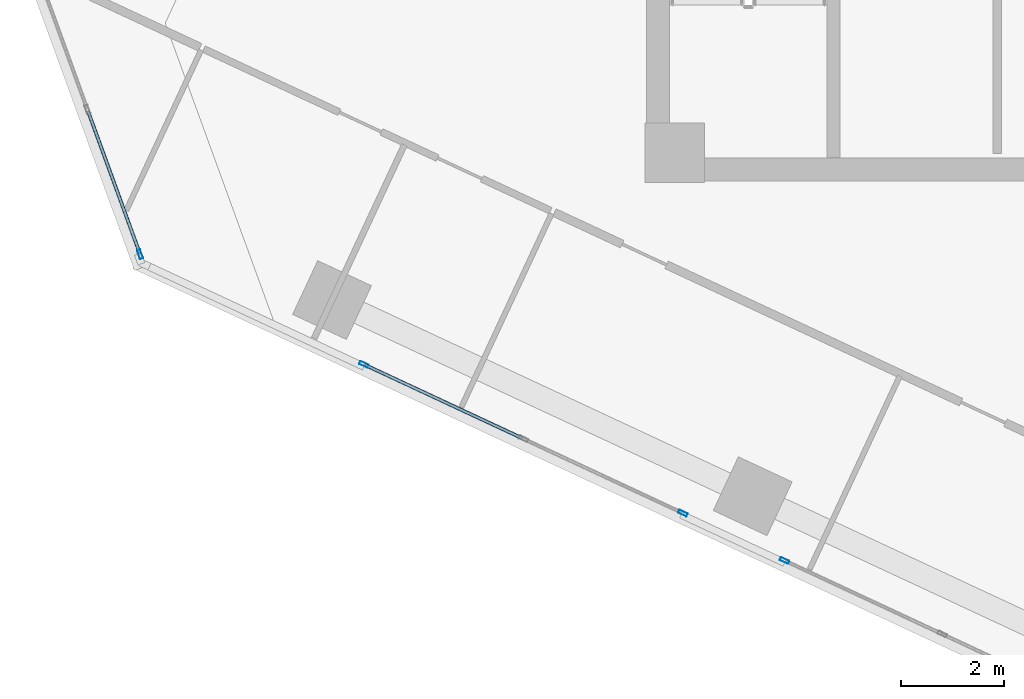
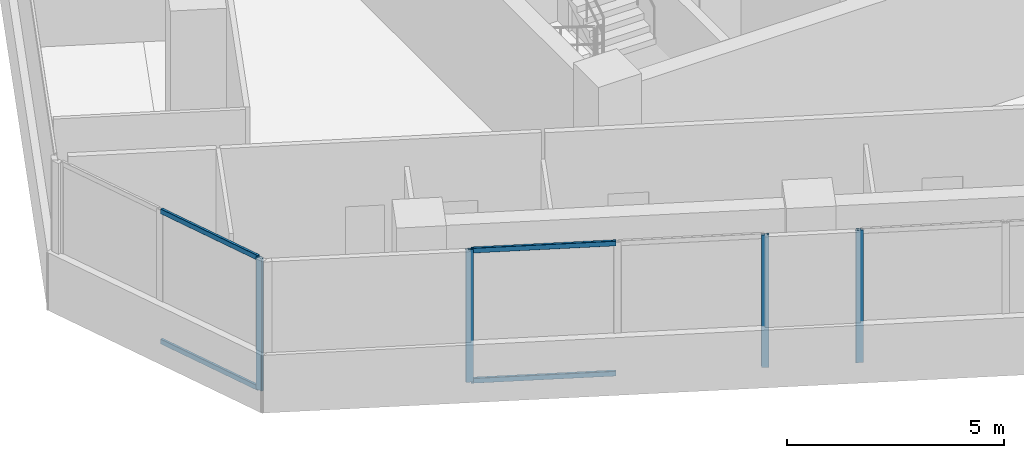
# One storey, part 2 of 23: 8 members, 3 elements without a shape of their own.
"""IFC4 building model written with IfcOpenShell, lengths in metres."""

from ifc_helpers import new_model, si_unit, direction, frame, origin, origin_2d, place, context, subcontext, project, spatial, hollow_rectangle, extrude, source, transform, mapped, material, material_profile, profile_set, type_object, element, aggregate, save


model = new_model("IFC4")

# Units and contexts
model_context = context("Model", 3, precision=1e-05, world=origin(), true_north=direction((0.0, 1.0)))
body_context = subcontext(model_context, "Body", "Model", "MODEL_VIEW")
ifc_project = project(units=[si_unit("LENGTHUNIT", "METRE"), si_unit("AREAUNIT", "SQUARE_METRE"), si_unit("VOLUMEUNIT", "CUBIC_METRE"), si_unit("PLANEANGLEUNIT", "RADIAN"), si_unit("MASSUNIT", "GRAM", prefix="KILO")], contexts=[model_context])

# Site, building, storey
site_placement = place(None, origin())
site = spatial("IfcSite", under=ifc_project, at=site_placement, CompositionType="ELEMENT")
building_placement = place(site_placement, origin())
building = spatial("IfcBuilding", under=site, at=building_placement, Name="Torre Montelarca", CompositionType="ELEMENT")
storey_placement = place(building_placement, frame((0.0, 0.0, 154.0)))
storey = spatial("IfcBuildingStorey", under=building, at=storey_placement, Name="L34", CompositionType="ELEMENT", Elevation=154.0)

# Curtain wall, members
ifc_material_1 = material(Name="Insulated low-E laminated glass", Category="glass")
curtain_wall_type = type_object("IfcCurtainWallType", Name="CW-SYS-Z2", PredefinedType="USERDEFINED", material=ifc_material_1)
curtain_wall_1_placement = place(storey_placement, origin())
curtain_wall_1 = element("IfcCurtainWall", 1, at=curtain_wall_1_placement, inside=storey, type_object=curtain_wall_type, Name="L34 Curtain Wall Run CW-T3-L34-E11-B1", ObjectType="UNITISED GLAZING", PredefinedType="USERDEFINED")
ifc_material_2 = material(Name="Anodised aluminium AA 6063-T6", Category="aluminium")
ifc_material_profile_1 = material_profile(ifc_material_2, hollow_rectangle(XDim=0.06494140625, YDim=0.139892578125, WallThickness=0.00390625, InnerFilletRadius=0.00390625, OuterFilletRadius=0.008056640625, at=origin_2d()), Name="ALU65X140X4", Category="aluminium")
ifc_profile_set_1 = profile_set([ifc_material_profile_1], Name="Anodised aluminium AA 6063-T6")
member_type_1 = type_object("IfcMemberType", Name="CWT-ALU140", PredefinedType="USERDEFINED", material=ifc_profile_set_1)
shared_shape_1 = source(origin(), body_context, "Body", "SweptSolid", [
    extrude(hollow_rectangle(XDim=0.06494140625, YDim=0.139892578125, WallThickness=0.00390625, InnerFilletRadius=0.00390625, OuterFilletRadius=0.008056640625, at=origin_2d()), origin(), (0.0, 0.0, 1.0), 2.918701171875),
])
member_1_placement = place(storey_placement, frame((-1.828857421875, 25.355712890625, 0.032470703125), z_axis=(0.342031842172, -0.939688362671, 0.0), x_axis=(0.939688362671, 0.342031842172, 0.0)))
member_1 = element("IfcMember", 2, at=member_1_placement, type_object=member_type_1, Name="CW transom 2.1", ObjectType="TRANSOM", PredefinedType="USERDEFINED", context=body_context, shape_type="MappedRepresentation", body=[
    mapped(shared_shape_1, transform((0.0, 0.0, 0.0), scale=1.0)),
])
member_2_placement = place(storey_placement, frame((-1.828857421875, 25.355712890625, 3.6875), z_axis=(0.342031842172, -0.939688362671, 0.0), x_axis=(0.939688362671, 0.342031842172, 0.0)))
member_2 = element("IfcMember", 3, at=member_2_placement, type_object=member_type_1, Name="CW transom 2.2", ObjectType="TRANSOM", PredefinedType="USERDEFINED", context=body_context, shape_type="MappedRepresentation", body=[
    mapped(shared_shape_1, transform((0.0, 0.0, 0.0), scale=1.0)),
])

curtain_wall_2_placement = place(storey_placement, origin())
curtain_wall_2 = element("IfcCurtainWall", 4, at=curtain_wall_2_placement, inside=storey, type_object=curtain_wall_type, Name="L34 Curtain Wall Run CW-T3-L34-E01-B1", ObjectType="UNITISED GLAZING", PredefinedType="USERDEFINED")
ifc_material_profile_2 = material_profile(ifc_material_2, hollow_rectangle(XDim=0.06494140625, YDim=0.179931640625, WallThickness=0.00390625, InnerFilletRadius=0.00390625, OuterFilletRadius=0.008056640625, at=origin_2d()), Name="ALU65X180X4", Category="aluminium")
ifc_profile_set_2 = profile_set([ifc_material_profile_2], Name="Anodised aluminium AA 6063-T6")
member_type_2 = type_object("IfcMemberType", Name="CWM-ALU180", PredefinedType="MULLION", material=ifc_profile_set_2)
shared_shape_2 = source(origin(), body_context, "Body", "SweptSolid", [
    extrude(hollow_rectangle(XDim=0.06494140625, YDim=0.179931640625, WallThickness=0.00390625, InnerFilletRadius=0.00390625, OuterFilletRadius=0.008056640625, at=origin_2d()), origin(), (0.0, 0.0, 1.0), 3.719970703125),
])
member_3_placement = place(storey_placement, frame((3.52001953125, 20.446044921875, 0.0), z_axis=(0.0, 0.0, 1.0), x_axis=(0.422611326824, 0.906311020809, 0.0)))
member_3 = element("IfcMember", 5, at=member_3_placement, type_object=member_type_2, Name="CW mullion 1", PredefinedType="MULLION", context=body_context, shape_type="MappedRepresentation", body=[
    mapped(shared_shape_2, transform((0.0, 0.0, 0.0), scale=1.0)),
])
member_4_placement = place(storey_placement, frame((9.70556640625, 17.561767578125, 0.0), z_axis=(0.0, 0.0, 1.0), x_axis=(0.422611326824, 0.906311020809, 0.0)))
member_4 = element("IfcMember", 6, at=member_4_placement, type_object=member_type_2, Name="CW mullion 3", PredefinedType="MULLION", context=body_context, shape_type="MappedRepresentation", body=[
    mapped(shared_shape_2, transform((0.0, 0.0, 0.0), scale=1.0)),
])

# Curtain wall, member
curtain_wall_3_placement = place(storey_placement, origin())
curtain_wall_3 = element("IfcCurtainWall", 7, at=curtain_wall_3_placement, inside=storey, type_object=curtain_wall_type, Name="L34 Curtain Wall Run CW-T3-L34-E01-B2", ObjectType="UNITISED GLAZING", PredefinedType="USERDEFINED")
member_5_placement = place(storey_placement, frame((11.6767578125, 16.642578125, 0.0), z_axis=(0.0, 0.0, 1.0), x_axis=(0.42261232569, 0.906310555039, 0.0)))
member_5 = element("IfcMember", 8, at=member_5_placement, type_object=member_type_2, Name="CW mullion 1", PredefinedType="MULLION", context=body_context, shape_type="MappedRepresentation", body=[
    mapped(shared_shape_2, transform((0.0, 0.0, 0.0), scale=1.0)),
])
aggregate(curtain_wall_3, [member_5])

# Member
member_6_placement = place(storey_placement, frame((-0.819580078125, 22.58251953125, 0.0), z_axis=(0.0, 0.0, 1.0), x_axis=(0.939694159282, 0.342015916313, 0.0)))
member_6 = element("IfcMember", 9, at=member_6_placement, type_object=member_type_2, Name="CW mullion 3", PredefinedType="MULLION", context=body_context, shape_type="MappedRepresentation", body=[
    mapped(shared_shape_2, transform((0.0, 0.0, 0.0), scale=1.0)),
])

aggregate(curtain_wall_1, [member_6, member_1, member_2])

shared_shape_3 = source(origin(), body_context, "Body", "SweptSolid", [
    extrude(hollow_rectangle(XDim=0.06494140625, YDim=0.139892578125, WallThickness=0.00390625, InnerFilletRadius=0.00390625, OuterFilletRadius=0.008056640625, at=origin_2d()), origin(), (0.0, 0.0, 1.0), 3.347412109375),
])
member_7_placement = place(storey_placement, frame((3.549560546875, 20.432373046875, 0.032470703125), z_axis=(0.906330280678, -0.42257002062, 0.0), x_axis=(0.42257002062, 0.906330280678, 0.0)))
member_7 = element("IfcMember", 10, at=member_7_placement, type_object=member_type_1, Name="CW transom 1.1", ObjectType="TRANSOM", PredefinedType="USERDEFINED", context=body_context, shape_type="MappedRepresentation", body=[
    mapped(shared_shape_3, transform((0.0, 0.0, 0.0), scale=1.0)),
])

member_8_placement = place(storey_placement, frame((3.549560546875, 20.432373046875, 3.6875), z_axis=(0.906330280678, -0.42257002062, 0.0), x_axis=(0.42257002062, 0.906330280678, 0.0)))
member_8 = element("IfcMember", 11, at=member_8_placement, type_object=member_type_1, Name="CW transom 1.2", ObjectType="TRANSOM", PredefinedType="USERDEFINED", context=body_context, shape_type="MappedRepresentation", body=[
    mapped(shared_shape_3, transform((0.0, 0.0, 0.0), scale=1.0)),
])

aggregate(curtain_wall_2, [member_3, member_4, member_7, member_8])

save(model, "model.ifc")
